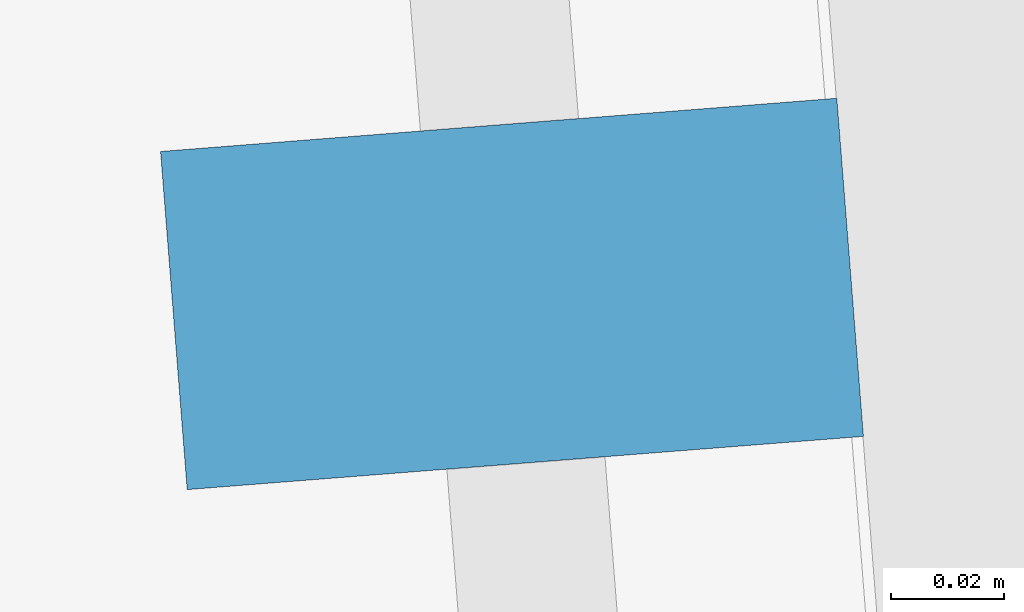
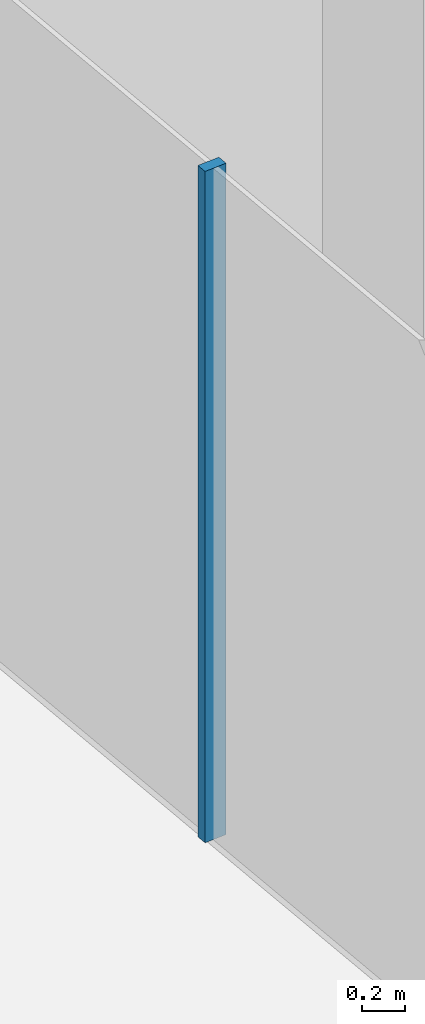
# One storey, part 14 of 28: 1 member, 1 element without a shape of its own.
"""IFC4 building model written with IfcOpenShell, lengths in metres."""

from ifc_helpers import new_model, si_unit, direction, frame, origin, origin_2d, place, context, subcontext, project, spatial, rectangle, extrude, material, layer, layer_set, material_profile, profile_set, type_object, element, aggregate, save


model = new_model("IFC4")

# Units and contexts
model_context = context("Model", 3, precision=1e-05, world=origin(), true_north=direction((0.0, 1.0)))
body_context = subcontext(model_context, "Body", "Model", "MODEL_VIEW")
ifc_project = project(units=[si_unit("LENGTHUNIT", "METRE"), si_unit("AREAUNIT", "SQUARE_METRE"), si_unit("VOLUMEUNIT", "CUBIC_METRE"), si_unit("PLANEANGLEUNIT", "RADIAN"), si_unit("MASSUNIT", "GRAM", prefix="KILO")], contexts=[model_context])

# Site, building, storey
site_placement = place(None, origin())
site = spatial("IfcSite", under=ifc_project, at=site_placement, CompositionType="ELEMENT")
building_placement = place(site_placement, origin())
building = spatial("IfcBuilding", under=site, at=building_placement, Name="Welwitschia Terrace Campus", CompositionType="ELEMENT")
storey_placement = place(building_placement, frame((0.0, 0.0, 71.0)))
storey = spatial("IfcBuildingStorey", under=building, at=storey_placement, Name="L16", CompositionType="ELEMENT", Elevation=71.0)

# Curtain wall, member
ifc_material_1 = material(Name="Bronze anodised aluminium", Category="aluminium")
ifc_layer = layer(ifc_material_1, 0.1201171875)
ifc_layer_set = layer_set([ifc_layer], Name="Bronze anodised aluminium")
curtain_wall_type = type_object("IfcCurtainWallType", Name="Curtain wall CW2 tower 6000", PredefinedType="NOTDEFINED", material=ifc_layer_set)
curtain_wall_placement = place(storey_placement, origin())
curtain_wall = element("IfcCurtainWall", 1, at=curtain_wall_placement, inside=storey, type_object=curtain_wall_type, Name="CW L16.18.0", PredefinedType="NOTDEFINED")
ifc_material_2 = material(Name="Bronze anodised aluminium", Category="aluminium")
ifc_material_profile = material_profile(ifc_material_2, rectangle(XDim=0.1201171875, YDim=0.06005859375, at=origin_2d()))
ifc_profile_set = profile_set([ifc_material_profile], Name="Bronze anodised aluminium")
member_type = type_object("IfcMemberType", Name="Mullion 60x120", PredefinedType="MULLION", material=ifc_profile_set)
member_placement = place(storey_placement, frame((-2.535400390625, 41.944091796875, 0.0), z_axis=(0.0, 0.0, 1.0), x_axis=(0.996917333733, 0.078459095728, 0.0)))
member = element("IfcMember", 2, at=member_placement, type_object=member_type, Name="Mullion L16.18.0.3", PredefinedType="MULLION", context=body_context, shape_type="SweptSolid", body=[
    extrude(rectangle(XDim=0.1201171875, YDim=0.06005859375, at=origin_2d()), origin(), (0.0, 0.0, 1.0), 3.85009765625),
])
aggregate(curtain_wall, [member])

save(model, "model.ifc")
